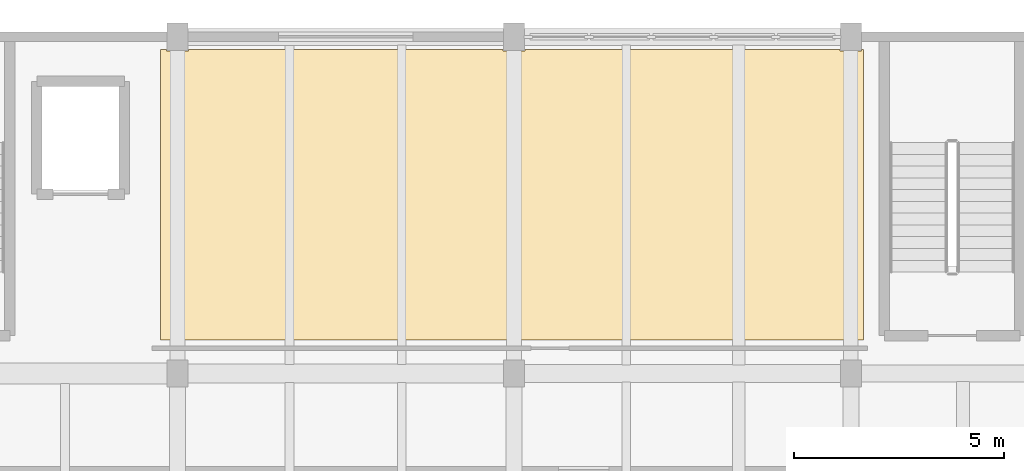
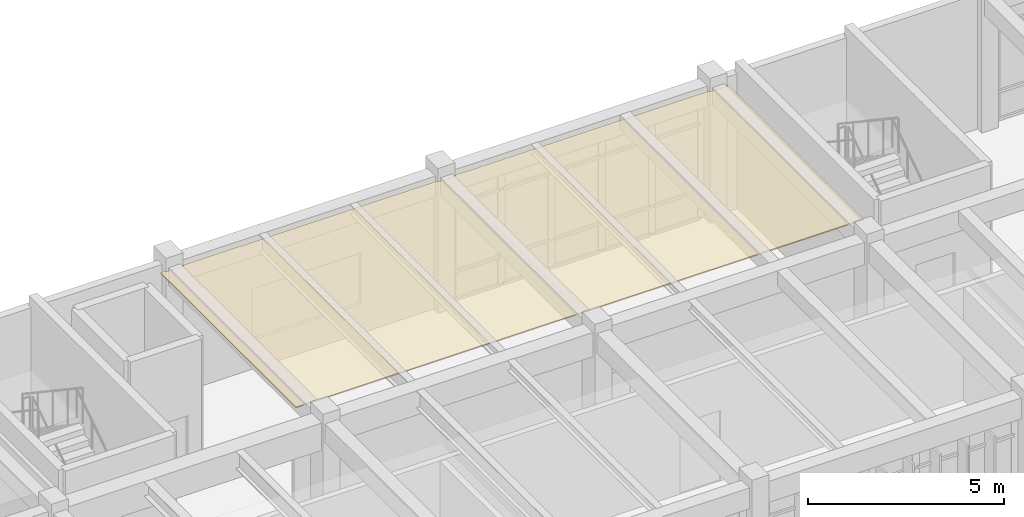
# One storey, part 70 of 72: 1 covering.
"""IFC4 building model written with IfcOpenShell, lengths in metres."""

from ifc_helpers import new_model, si_unit, direction, frame, origin, place, context, subcontext, project, spatial, polyline, outline, extrude, material, layer, layer_set, type_object, element, save


model = new_model("IFC4")

# Units and contexts
model_context = context("Model", 3, precision=1e-05, world=origin(), true_north=direction((0.0, 1.0)))
body_context = subcontext(model_context, "Body", "Model", "MODEL_VIEW")
ifc_project = project(units=[si_unit("LENGTHUNIT", "METRE"), si_unit("AREAUNIT", "SQUARE_METRE"), si_unit("VOLUMEUNIT", "CUBIC_METRE"), si_unit("PLANEANGLEUNIT", "RADIAN"), si_unit("MASSUNIT", "GRAM", prefix="KILO")], contexts=[model_context])

# Site, building, storey
site_placement = place(None, origin())
site = spatial("IfcSite", under=ifc_project, at=site_placement, CompositionType="ELEMENT")
building_placement = place(site_placement, origin())
building = spatial("IfcBuilding", under=site, at=building_placement, Name="Tlaxcora Railside Police Headquarters", CompositionType="ELEMENT")
storey_placement = place(building_placement, frame((0.0, 0.0, 13.5)))
storey = spatial("IfcBuildingStorey", under=building, at=storey_placement, Name="L03", CompositionType="ELEMENT", Elevation=13.5)

# Covering
ifc_material = material(Name="Mineral-fibre acoustic ceiling tile")
ifc_layer = layer(ifc_material, 0.034912109375, Name="Mineral-fibre acoustic ceiling tile")
ifc_layer_set = layer_set([ifc_layer], Name="Mineral-fibre acoustic ceiling tile")
covering_type = type_object("IfcCoveringType", Name="Acoustic Suspended Ceiling CLG-01", PredefinedType="CEILING", material=ifc_layer_set)
covering_placement = place(storey_placement, frame((0.0, 0.0, 4.06494140625)))
element("IfcCovering", 1, at=covering_placement, inside=storey, type_object=covering_type, Name="Cyber-Forensics Case Analysts Suite suspended ceiling", PredefinedType="CEILING", context=body_context, shape_type="SweptSolid", body=[
    extrude(outline(polyline([(118.5400390625, 92.465087890625), (118.5400390625, 92.5), (118.39990234375, 92.5), (118.39990234375, 85.60009765625), (135.10009765625, 85.60009765625), (135.10009765625, 92.5), (135.06005859375, 92.5), (135.06005859375, 92.465087890625), (134.5400390625, 92.465087890625), (134.5400390625, 92.5), (127.06005859375, 92.5), (127.06005859375, 92.465087890625), (126.5400390625, 92.465087890625), (126.5400390625, 92.5), (119.06005859375, 92.5), (119.06005859375, 92.465087890625), (118.5400390625, 92.465087890625)])), origin(), (0.0, 0.0, 1.0), 0.03515625),
])

save(model, "model.ifc")
